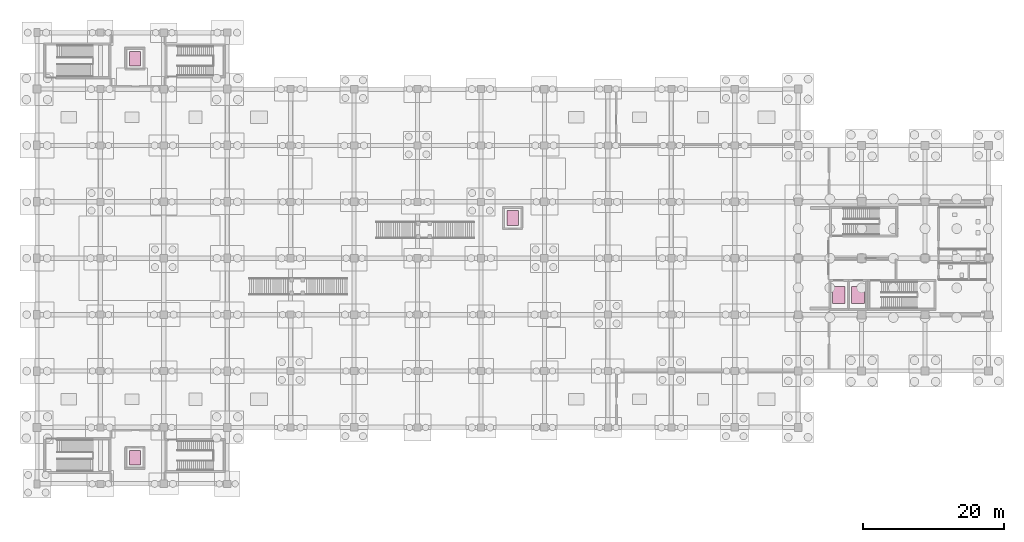
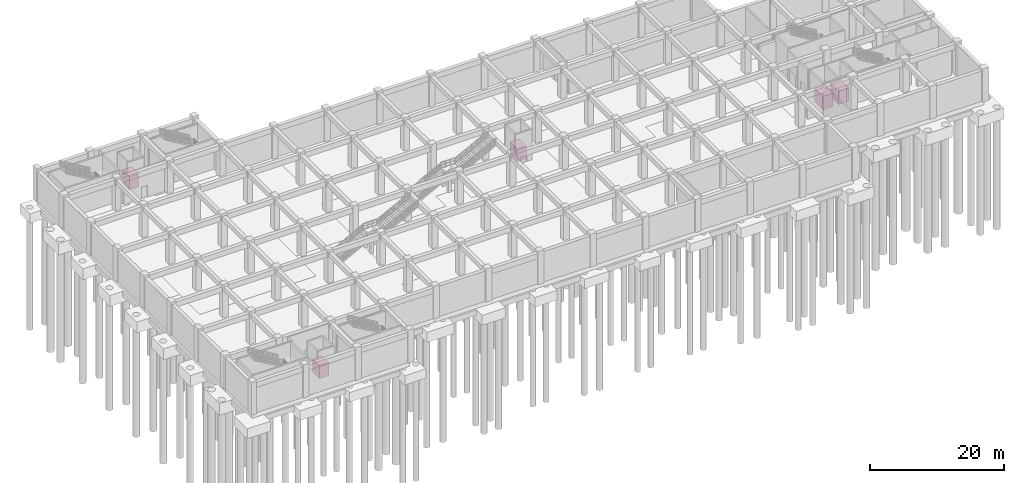
# One storey, part 18 of 18: 5 transport elements.
"""IFC4 building model written with IfcOpenShell, lengths in metres."""

from ifc_helpers import new_model, si_unit, derived_unit, direction, frame, origin, origin_2d, place, context, subcontext, project, spatial, rectangle, extrude, material, type_object, element, save


model = new_model("IFC4")

# Units and contexts
model_context = context("Model", 3, precision=1e-05, world=origin(), true_north=direction((0.0, 1.0)))
body_context = subcontext(model_context, "Body", "Model", "MODEL_VIEW")
ifc_project = project(units=[si_unit("LENGTHUNIT", "METRE"), si_unit("AREAUNIT", "SQUARE_METRE"), si_unit("VOLUMEUNIT", "CUBIC_METRE"), si_unit("PLANEANGLEUNIT", "RADIAN"), si_unit("MASSUNIT", "GRAM", prefix="KILO"), derived_unit("THERMALTRANSMITTANCEUNIT", [(si_unit("MASSUNIT", "GRAM", prefix="KILO"), 1), (si_unit("TIMEUNIT", "SECOND"), -3), (si_unit("THERMODYNAMICTEMPERATUREUNIT", "KELVIN"), -1)])], contexts=[model_context])

# Site, building, storey
site_placement = place(None, origin())
site = spatial("IfcSite", under=ifc_project, at=site_placement, CompositionType="ELEMENT")
building_placement = place(site_placement, origin())
building = spatial("IfcBuilding", under=site, at=building_placement, Name="Zhenchuan Archway Interchange", CompositionType="ELEMENT")
storey_placement = place(building_placement, frame((0.0, 0.0, -12.0)))
storey = spatial("IfcBuildingStorey", under=building, at=storey_placement, Name="B2", CompositionType="ELEMENT", Elevation=-12.0)

# Transport elements
ifc_material = material(Name="Stainless Steel 304", Category="steel")
transport_element_type_1 = type_object("IfcTransportElementType", Name="LIFT_FIRE_2000", PredefinedType="ELEVATOR", material=ifc_material)
for number, where, z_axis, x_axis, name in (
    (1, (149.75, 50.800048828125, 0.0), (0.0, 0.0, 1.0), (1.0, 0.0, 0.0), "Firefighting lift car LF-08"),
    (2, (152.489990234375, 50.800048828125, 0.0), (0.0, 0.0, 1.0), (1.0, 0.0, 0.0), "Firefighting lift car LF-09"),
):
    element("IfcTransportElement", number, at=place(storey_placement, frame(where, z_axis=z_axis, x_axis=x_axis)), inside=storey, type_object=transport_element_type_1, Name=name, PredefinedType="ELEVATOR", context=body_context, shape_type="SweptSolid", body=[
        extrude(rectangle(XDim=1.800048828125, YDim=2.39990234375, at=origin_2d()), origin(), (0.0, 0.0, 1.0), 2.449951171875),
    ])
transport_element_type_2 = type_object("IfcTransportElementType", Name="LIFT_PAX_1600", PredefinedType="ELEVATOR", material=ifc_material)
for number, where, z_axis, x_axis, name in (
    (3, (49.89990234375, 27.699951171875, 0.0), (0.0, 0.0, 1.0), (1.0, 0.0, 0.0), "Passenger lift car LF-01"),
    (4, (49.89990234375, 84.300048828125, 0.0), (0.0, 0.0, 1.0), (1.0, 0.0, 0.0), "Passenger lift car LF-02"),
    (5, (103.5, 61.699951171875, 0.0), (0.0, 0.0, 1.0), (1.0, 0.0, 0.0), "Passenger lift car LF-05"),
):
    element("IfcTransportElement", number, at=place(storey_placement, frame(where, z_axis=z_axis, x_axis=x_axis)), inside=storey, type_object=transport_element_type_2, Name=name, PredefinedType="ELEVATOR", context=body_context, shape_type="SweptSolid", body=[
        extrude(rectangle(XDim=1.60009765625, YDim=2.10009765625, at=origin_2d()), origin(), (0.0, 0.0, 1.0), 2.39990234375),
    ])

save(model, "model.ifc")
